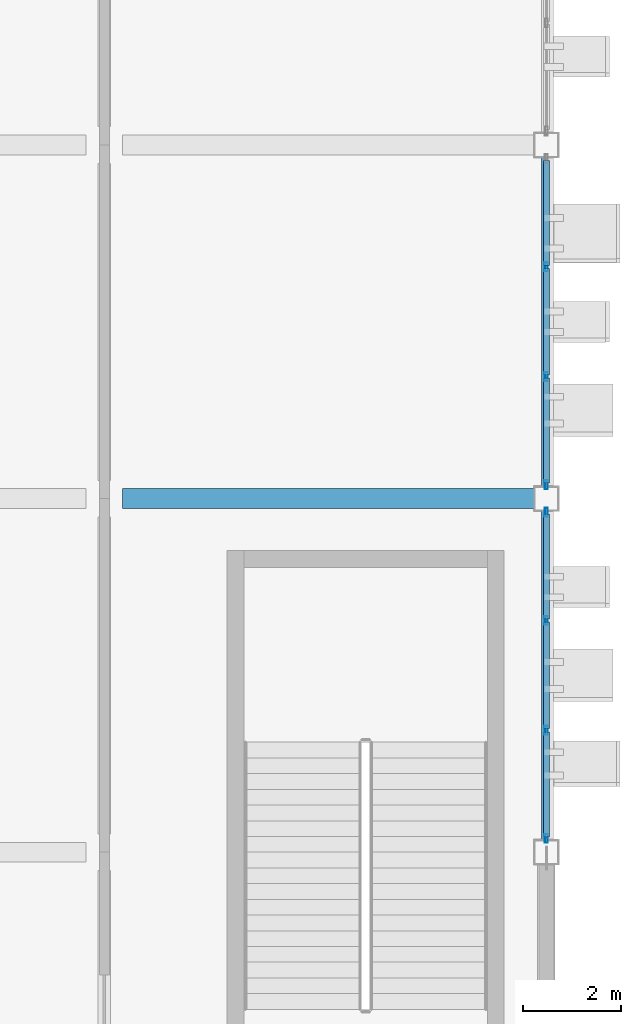
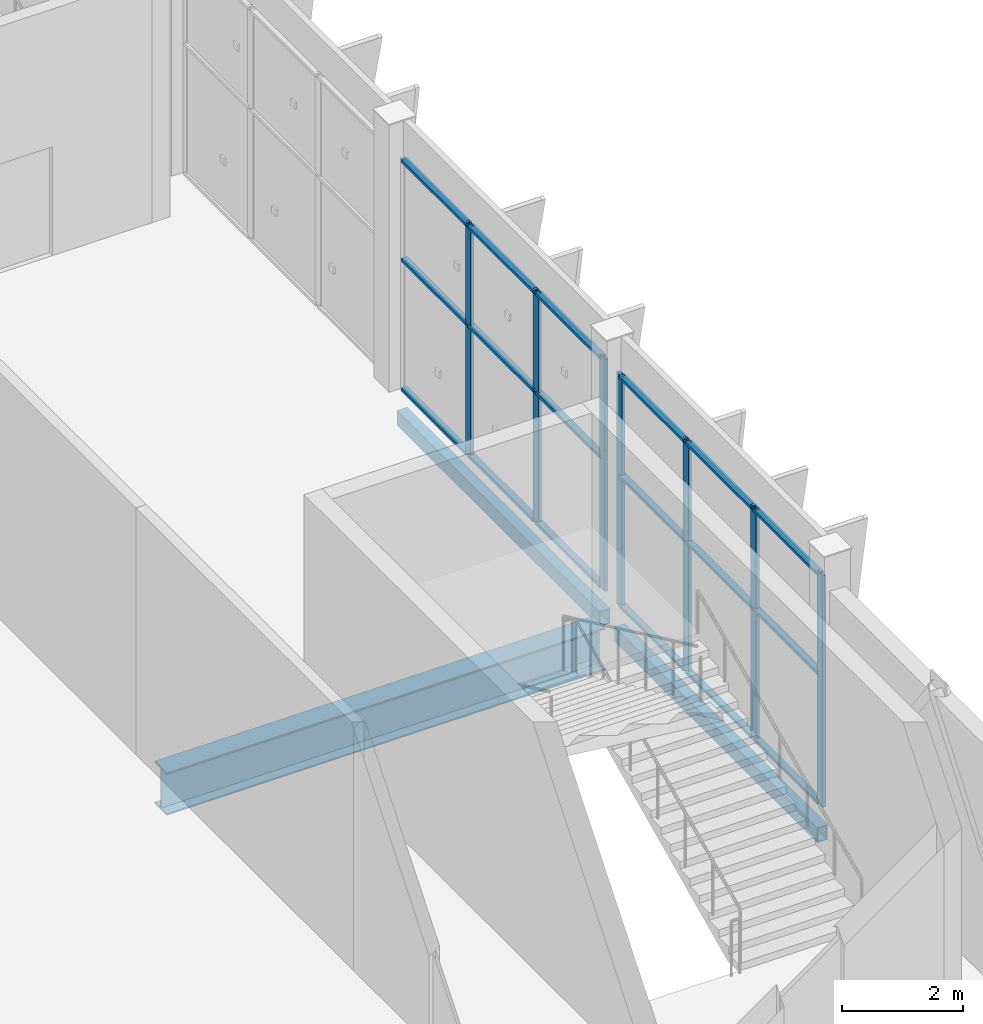
# One storey, part 107 of 189: 25 members, 3 beams, 2 elements without a shape of their own.
"""IFC4 building model written with IfcOpenShell, lengths in metres."""

from ifc_helpers import new_model, si_unit, direction, frame, origin, origin_2d, place, context, subcontext, project, spatial, hollow_rectangle, i_section, extrude, material, layer, layer_set, material_profile, profile_set, type_object, element, aggregate, save


model = new_model("IFC4")

# Units and contexts
model_context = context("Model", 3, precision=1e-05, world=origin(), true_north=direction((0.0, 1.0)))
body_context = subcontext(model_context, "Body", "Model", "MODEL_VIEW")
ifc_project = project(units=[si_unit("LENGTHUNIT", "METRE"), si_unit("AREAUNIT", "SQUARE_METRE"), si_unit("VOLUMEUNIT", "CUBIC_METRE"), si_unit("PLANEANGLEUNIT", "RADIAN"), si_unit("MASSUNIT", "GRAM", prefix="KILO")], contexts=[model_context])

# Site, building, storey
site_placement = place(None, origin())
site = spatial("IfcSite", under=ifc_project, at=site_placement, CompositionType="ELEMENT")
building_placement = place(site_placement, origin())
building = spatial("IfcBuilding", under=site, at=building_placement, Name="Celestram Park Convention Centre", CompositionType="ELEMENT")
storey_placement = place(building_placement, frame((0.0, 0.0, 5.39990234375)))
storey = spatial("IfcBuildingStorey", under=building, at=storey_placement, Name="L01", CompositionType="ELEMENT", Elevation=5.39990234375)

# Curtain wall, members
ifc_material_1 = material(Name="Anodised Aluminium Alloy 6063-T6", Category="aluminium")
ifc_layer = layer(ifc_material_1, 0.179931640625)
ifc_layer_set = layer_set([ifc_layer], Name="Anodised Aluminium Alloy 6063-T6")
curtain_wall_type = type_object("IfcCurtainWallType", Name="ARC-CW-670X468", PredefinedType="NOTDEFINED", material=ifc_layer_set)
curtain_wall_1_placement = place(storey_placement, origin())
curtain_wall_1 = element("IfcCurtainWall", 1, at=curtain_wall_1_placement, inside=storey, type_object=curtain_wall_type, Name="Unitised curtain wall CU-L01-078", PredefinedType="NOTDEFINED")
ifc_material_profile_1 = material_profile(ifc_material_1, hollow_rectangle(XDim=0.06494140625, YDim=0.179931640625, WallThickness=0.00390625, at=origin_2d()), Name="ALU65X180X4")
ifc_profile_set_1 = profile_set([ifc_material_profile_1], Name="Anodised Aluminium Alloy 6063-T6")
member_type_1 = type_object("IfcMemberType", Name="ARC-CWM-150", PredefinedType="MULLION", material=ifc_profile_set_1)
member_1_placement = place(storey_placement, frame((216.0, 141.517333984375, 0.0), z_axis=(0.0, 0.0, 1.0), x_axis=(1.0, 0.0, 0.0)))
member_1 = element("IfcMember", 2, at=member_1_placement, type_object=member_type_1, Name="CW-67X46 mullion 2", PredefinedType="MULLION", context=body_context, shape_type="SweptSolid", body=[
    extrude(hollow_rectangle(XDim=0.06494140625, YDim=0.179931640625, WallThickness=0.00390625, at=origin_2d()), origin(), (0.0, 0.0, 1.0), 4.68017578125),
])
member_2_placement = place(storey_placement, frame((216.0, 139.28271484375, 0.0), z_axis=(0.0, 0.0, 1.0), x_axis=(1.0, 0.0, 0.0)))
member_2 = element("IfcMember", 3, at=member_2_placement, type_object=member_type_1, Name="CW-67X46 mullion 3", PredefinedType="MULLION", context=body_context, shape_type="SweptSolid", body=[
    extrude(hollow_rectangle(XDim=0.06494140625, YDim=0.179931640625, WallThickness=0.00390625, at=origin_2d()), origin(), (0.0, 0.0, 1.0), 4.68017578125),
])
member_3_placement = place(storey_placement, frame((216.0, 137.08056640625, 0.0), z_axis=(0.0, 0.0, 1.0), x_axis=(1.0, 0.0, 0.0)))
member_3 = element("IfcMember", 4, at=member_3_placement, type_object=member_type_1, Name="CW-67X46 mullion 4", PredefinedType="MULLION", context=body_context, shape_type="SweptSolid", body=[
    extrude(hollow_rectangle(XDim=0.06494140625, YDim=0.179931640625, WallThickness=0.00390625, at=origin_2d()), origin(), (0.0, 0.0, 1.0), 4.68017578125),
])

curtain_wall_2_placement = place(storey_placement, origin())
curtain_wall_2 = element("IfcCurtainWall", 5, at=curtain_wall_2_placement, inside=storey, type_object=curtain_wall_type, Name="Unitised curtain wall CU-L01-079", PredefinedType="NOTDEFINED")
member_4_placement = place(storey_placement, frame((216.0, 136.51953125, 0.0), z_axis=(0.0, 0.0, 1.0), x_axis=(1.0, 0.0, 0.0)))
member_4 = element("IfcMember", 6, at=member_4_placement, type_object=member_type_1, Name="CW-67X46 mullion 1", PredefinedType="MULLION", context=body_context, shape_type="SweptSolid", body=[
    extrude(hollow_rectangle(XDim=0.06494140625, YDim=0.179931640625, WallThickness=0.00390625, at=origin_2d()), origin(), (0.0, 0.0, 1.0), 4.68017578125),
])
member_5_placement = place(storey_placement, frame((216.0, 134.3173828125, 0.0), z_axis=(0.0, 0.0, 1.0), x_axis=(1.0, 0.0, 0.0)))
member_5 = element("IfcMember", 7, at=member_5_placement, type_object=member_type_1, Name="CW-67X46 mullion 2", PredefinedType="MULLION", context=body_context, shape_type="SweptSolid", body=[
    extrude(hollow_rectangle(XDim=0.06494140625, YDim=0.179931640625, WallThickness=0.00390625, at=origin_2d()), origin(), (0.0, 0.0, 1.0), 4.68017578125),
])
member_6_placement = place(storey_placement, frame((216.0, 132.082763671875, 0.0), z_axis=(0.0, 0.0, 1.0), x_axis=(1.0, 0.0, 0.0)))
member_6 = element("IfcMember", 8, at=member_6_placement, type_object=member_type_1, Name="CW-67X46 mullion 3", PredefinedType="MULLION", context=body_context, shape_type="SweptSolid", body=[
    extrude(hollow_rectangle(XDim=0.06494140625, YDim=0.179931640625, WallThickness=0.00390625, at=origin_2d()), origin(), (0.0, 0.0, 1.0), 4.68017578125),
])
member_7_placement = place(storey_placement, frame((216.0, 129.880615234375, 0.0), z_axis=(0.0, 0.0, 1.0), x_axis=(1.0, 0.0, 0.0)))
member_7 = element("IfcMember", 9, at=member_7_placement, type_object=member_type_1, Name="CW-67X46 mullion 4", PredefinedType="MULLION", context=body_context, shape_type="SweptSolid", body=[
    extrude(hollow_rectangle(XDim=0.06494140625, YDim=0.179931640625, WallThickness=0.00390625, at=origin_2d()), origin(), (0.0, 0.0, 1.0), 4.68017578125),
])

# Member
ifc_material_profile_2 = material_profile(ifc_material_1, hollow_rectangle(XDim=0.1201171875, YDim=0.06005859375, WallThickness=0.0029296875, at=origin_2d()), Name="ALU120X60X3")
ifc_profile_set_2 = profile_set([ifc_material_profile_2], Name="Anodised Aluminium Alloy 6063-T6")
member_type_2 = type_object("IfcMemberType", Name="ARC-CWT-120", PredefinedType="USERDEFINED", material=ifc_profile_set_2)
member_8_placement = place(storey_placement, frame((216.0, 143.68701171875, 0.030029296875), z_axis=(0.0, -1.0, 0.0), x_axis=(1.0, 0.0, 0.0)))
member_8 = element("IfcMember", 10, at=member_8_placement, type_object=member_type_2, Name="CW-67X46 transom 1.1", ObjectType="TRANSOM", PredefinedType="USERDEFINED", context=body_context, shape_type="SweptSolid", body=[
    extrude(hollow_rectangle(XDim=0.1201171875, YDim=0.06005859375, WallThickness=0.0029296875, at=origin_2d()), origin(), (0.0, 0.0, 1.0), 2.13720703125),
])

member_9_placement = place(storey_placement, frame((216.0, 143.68701171875, 2.650146484375), z_axis=(0.0, -1.0, 0.0), x_axis=(1.0, 0.0, 0.0)))
member_9 = element("IfcMember", 11, at=member_9_placement, type_object=member_type_2, Name="CW-67X46 transom 1.2", ObjectType="TRANSOM", PredefinedType="USERDEFINED", context=body_context, shape_type="SweptSolid", body=[
    extrude(hollow_rectangle(XDim=0.1201171875, YDim=0.06005859375, WallThickness=0.0029296875, at=origin_2d()), origin(), (0.0, 0.0, 1.0), 2.13720703125),
])

member_10_placement = place(storey_placement, frame((216.0, 143.68701171875, 4.650146484375), z_axis=(0.0, -1.0, 0.0), x_axis=(1.0, 0.0, 0.0)))
member_10 = element("IfcMember", 12, at=member_10_placement, type_object=member_type_2, Name="CW-67X46 transom 1.3", ObjectType="TRANSOM", PredefinedType="USERDEFINED", context=body_context, shape_type="SweptSolid", body=[
    extrude(hollow_rectangle(XDim=0.1201171875, YDim=0.06005859375, WallThickness=0.0029296875, at=origin_2d()), origin(), (0.0, 0.0, 1.0), 2.13720703125),
])

member_11_placement = place(storey_placement, frame((216.0, 141.48486328125, 0.030029296875), z_axis=(0.0, -1.0, 0.0), x_axis=(1.0, 0.0, 0.0)))
member_11 = element("IfcMember", 13, at=member_11_placement, type_object=member_type_2, Name="CW-67X46 transom 2.1", ObjectType="TRANSOM", PredefinedType="USERDEFINED", context=body_context, shape_type="SweptSolid", body=[
    extrude(hollow_rectangle(XDim=0.1201171875, YDim=0.06005859375, WallThickness=0.0029296875, at=origin_2d()), origin(), (0.0, 0.0, 1.0), 2.169677734375),
])

member_12_placement = place(storey_placement, frame((216.0, 141.48486328125, 2.650146484375), z_axis=(0.0, -1.0, 0.0), x_axis=(1.0, 0.0, 0.0)))
member_12 = element("IfcMember", 14, at=member_12_placement, type_object=member_type_2, Name="CW-67X46 transom 2.2", ObjectType="TRANSOM", PredefinedType="USERDEFINED", context=body_context, shape_type="SweptSolid", body=[
    extrude(hollow_rectangle(XDim=0.1201171875, YDim=0.06005859375, WallThickness=0.0029296875, at=origin_2d()), origin(), (0.0, 0.0, 1.0), 2.169677734375),
])

member_13_placement = place(storey_placement, frame((216.0, 141.48486328125, 4.650146484375), z_axis=(0.0, -1.0, 0.0), x_axis=(1.0, 0.0, 0.0)))
member_13 = element("IfcMember", 15, at=member_13_placement, type_object=member_type_2, Name="CW-67X46 transom 2.3", ObjectType="TRANSOM", PredefinedType="USERDEFINED", context=body_context, shape_type="SweptSolid", body=[
    extrude(hollow_rectangle(XDim=0.1201171875, YDim=0.06005859375, WallThickness=0.0029296875, at=origin_2d()), origin(), (0.0, 0.0, 1.0), 2.169677734375),
])

member_14_placement = place(storey_placement, frame((216.0, 139.250244140625, 0.030029296875), z_axis=(0.0, -1.0, 0.0), x_axis=(1.0, 0.0, 0.0)))
member_14 = element("IfcMember", 16, at=member_14_placement, type_object=member_type_2, Name="CW-67X46 transom 3.1", ObjectType="TRANSOM", PredefinedType="USERDEFINED", context=body_context, shape_type="SweptSolid", body=[
    extrude(hollow_rectangle(XDim=0.1201171875, YDim=0.06005859375, WallThickness=0.0029296875, at=origin_2d()), origin(), (0.0, 0.0, 1.0), 2.13720703125),
])

member_15_placement = place(storey_placement, frame((216.0, 139.250244140625, 2.650146484375), z_axis=(0.0, -1.0, 0.0), x_axis=(1.0, 0.0, 0.0)))
member_15 = element("IfcMember", 17, at=member_15_placement, type_object=member_type_2, Name="CW-67X46 transom 3.2", ObjectType="TRANSOM", PredefinedType="USERDEFINED", context=body_context, shape_type="SweptSolid", body=[
    extrude(hollow_rectangle(XDim=0.1201171875, YDim=0.06005859375, WallThickness=0.0029296875, at=origin_2d()), origin(), (0.0, 0.0, 1.0), 2.13720703125),
])

member_16_placement = place(storey_placement, frame((216.0, 139.250244140625, 4.650146484375), z_axis=(0.0, -1.0, 0.0), x_axis=(1.0, 0.0, 0.0)))
member_16 = element("IfcMember", 18, at=member_16_placement, type_object=member_type_2, Name="CW-67X46 transom 3.3", ObjectType="TRANSOM", PredefinedType="USERDEFINED", context=body_context, shape_type="SweptSolid", body=[
    extrude(hollow_rectangle(XDim=0.1201171875, YDim=0.06005859375, WallThickness=0.0029296875, at=origin_2d()), origin(), (0.0, 0.0, 1.0), 2.13720703125),
])

aggregate(curtain_wall_1, [member_1, member_2, member_3, member_8, member_9, member_10, member_11, member_12, member_13, member_14, member_15, member_16])

member_17_placement = place(storey_placement, frame((216.0, 136.487060546875, 0.030029296875), z_axis=(0.0, -1.0, 0.0), x_axis=(1.0, 0.0, 0.0)))
member_17 = element("IfcMember", 19, at=member_17_placement, type_object=member_type_2, Name="CW-67X46 transom 1.1", ObjectType="TRANSOM", PredefinedType="USERDEFINED", context=body_context, shape_type="SweptSolid", body=[
    extrude(hollow_rectangle(XDim=0.1201171875, YDim=0.06005859375, WallThickness=0.0029296875, at=origin_2d()), origin(), (0.0, 0.0, 1.0), 2.13720703125),
])

member_18_placement = place(storey_placement, frame((216.0, 136.487060546875, 2.650146484375), z_axis=(0.0, -1.0, 0.0), x_axis=(1.0, 0.0, 0.0)))
member_18 = element("IfcMember", 20, at=member_18_placement, type_object=member_type_2, Name="CW-67X46 transom 1.2", ObjectType="TRANSOM", PredefinedType="USERDEFINED", context=body_context, shape_type="SweptSolid", body=[
    extrude(hollow_rectangle(XDim=0.1201171875, YDim=0.06005859375, WallThickness=0.0029296875, at=origin_2d()), origin(), (0.0, 0.0, 1.0), 2.13720703125),
])

member_19_placement = place(storey_placement, frame((216.0, 136.487060546875, 4.650146484375), z_axis=(0.0, -1.0, 0.0), x_axis=(1.0, 0.0, 0.0)))
member_19 = element("IfcMember", 21, at=member_19_placement, type_object=member_type_2, Name="CW-67X46 transom 1.3", ObjectType="TRANSOM", PredefinedType="USERDEFINED", context=body_context, shape_type="SweptSolid", body=[
    extrude(hollow_rectangle(XDim=0.1201171875, YDim=0.06005859375, WallThickness=0.0029296875, at=origin_2d()), origin(), (0.0, 0.0, 1.0), 2.13720703125),
])

member_20_placement = place(storey_placement, frame((216.0, 134.284912109375, 0.030029296875), z_axis=(0.0, -1.0, 0.0), x_axis=(1.0, 0.0, 0.0)))
member_20 = element("IfcMember", 22, at=member_20_placement, type_object=member_type_2, Name="CW-67X46 transom 2.1", ObjectType="TRANSOM", PredefinedType="USERDEFINED", context=body_context, shape_type="SweptSolid", body=[
    extrude(hollow_rectangle(XDim=0.1201171875, YDim=0.06005859375, WallThickness=0.0029296875, at=origin_2d()), origin(), (0.0, 0.0, 1.0), 2.169677734375),
])

member_21_placement = place(storey_placement, frame((216.0, 134.284912109375, 2.650146484375), z_axis=(0.0, -1.0, 0.0), x_axis=(1.0, 0.0, 0.0)))
member_21 = element("IfcMember", 23, at=member_21_placement, type_object=member_type_2, Name="CW-67X46 transom 2.2", ObjectType="TRANSOM", PredefinedType="USERDEFINED", context=body_context, shape_type="SweptSolid", body=[
    extrude(hollow_rectangle(XDim=0.1201171875, YDim=0.06005859375, WallThickness=0.0029296875, at=origin_2d()), origin(), (0.0, 0.0, 1.0), 2.169677734375),
])

member_22_placement = place(storey_placement, frame((216.0, 134.284912109375, 4.650146484375), z_axis=(0.0, -1.0, 0.0), x_axis=(1.0, 0.0, 0.0)))
member_22 = element("IfcMember", 24, at=member_22_placement, type_object=member_type_2, Name="CW-67X46 transom 2.3", ObjectType="TRANSOM", PredefinedType="USERDEFINED", context=body_context, shape_type="SweptSolid", body=[
    extrude(hollow_rectangle(XDim=0.1201171875, YDim=0.06005859375, WallThickness=0.0029296875, at=origin_2d()), origin(), (0.0, 0.0, 1.0), 2.169677734375),
])

member_23_placement = place(storey_placement, frame((216.0, 132.050048828125, 0.030029296875), z_axis=(0.0, -1.0, 0.0), x_axis=(1.0, 0.0, 0.0)))
member_23 = element("IfcMember", 25, at=member_23_placement, type_object=member_type_2, Name="CW-67X46 transom 3.1", ObjectType="TRANSOM", PredefinedType="USERDEFINED", context=body_context, shape_type="SweptSolid", body=[
    extrude(hollow_rectangle(XDim=0.1201171875, YDim=0.06005859375, WallThickness=0.0029296875, at=origin_2d()), origin(), (0.0, 0.0, 1.0), 2.136962890625),
])

member_24_placement = place(storey_placement, frame((216.0, 132.050048828125, 2.650146484375), z_axis=(0.0, -1.0, 0.0), x_axis=(1.0, 0.0, 0.0)))
member_24 = element("IfcMember", 26, at=member_24_placement, type_object=member_type_2, Name="CW-67X46 transom 3.2", ObjectType="TRANSOM", PredefinedType="USERDEFINED", context=body_context, shape_type="SweptSolid", body=[
    extrude(hollow_rectangle(XDim=0.1201171875, YDim=0.06005859375, WallThickness=0.0029296875, at=origin_2d()), origin(), (0.0, 0.0, 1.0), 2.136962890625),
])

member_25_placement = place(storey_placement, frame((216.0, 132.050048828125, 4.650146484375), z_axis=(0.0, -1.0, 0.0), x_axis=(1.0, 0.0, 0.0)))
member_25 = element("IfcMember", 27, at=member_25_placement, type_object=member_type_2, Name="CW-67X46 transom 3.3", ObjectType="TRANSOM", PredefinedType="USERDEFINED", context=body_context, shape_type="SweptSolid", body=[
    extrude(hollow_rectangle(XDim=0.1201171875, YDim=0.06005859375, WallThickness=0.0029296875, at=origin_2d()), origin(), (0.0, 0.0, 1.0), 2.136962890625),
])

aggregate(curtain_wall_2, [member_4, member_5, member_6, member_7, member_17, member_18, member_19, member_20, member_21, member_22, member_23, member_24, member_25])

# Beams
ifc_material_2 = material(Name="Steel ASTM A992 Grade 50", Category="steel")
ifc_material_profile_3 = material_profile(ifc_material_2, i_section(OverallWidth=0.40087890625, OverallDepth=0.85595703125, WebThickness=0.018310546875, FlangeThickness=0.029296875, at=origin_2d()), Name="W33X201")
ifc_profile_set_3 = profile_set([ifc_material_profile_3], Name="Steel ASTM A992 Grade 50")
beam_type_1 = type_object("IfcBeamType", Name="STR-BM-W33X201", PredefinedType="BEAM", material=ifc_profile_set_3)
beam_1_placement = place(storey_placement, frame((207.373046875, 136.800048828125, -0.847900390625), z_axis=(1.0, 0.0, 0.0), x_axis=(0.0, 1.0, 0.0)))
element("IfcBeam", 28, at=beam_1_placement, inside=storey, type_object=beam_type_1, Name="Primary X-girder BG-L01-0526", PredefinedType="BEAM", context=body_context, shape_type="SweptSolid", body=[
    extrude(i_section(OverallWidth=0.40087890625, OverallDepth=0.85595703125, WebThickness=0.018310546875, FlangeThickness=0.029296875, at=origin_2d()), origin(), (0.0, 0.0, 1.0), 8.37890625),
])
ifc_material_3 = material(Name="Steel ASTM A500 Grade C", Category="steel")
ifc_material_profile_4 = material_profile(ifc_material_3, hollow_rectangle(XDim=0.199951171875, YDim=0.300048828125, WallThickness=0.011962890625, at=origin_2d()), Name="HSS300X200X12")
ifc_profile_set_4 = profile_set([ifc_material_profile_4], Name="Steel ASTM A500 Grade C")
beam_type_2 = type_object("IfcBeamType", Name="STR-SPN-HSS300X200", PredefinedType="SPANDREL", material=ifc_profile_set_4)
beam_2_placement = place(storey_placement, frame((216.0, 129.847900390625, -0.56982421875), z_axis=(0.0, 1.0, 0.0), x_axis=(-1.0, 0.0, 0.0)))
element("IfcBeam", 29, at=beam_2_placement, inside=storey, type_object=beam_type_2, Name="Primary Y-girder BG-L01-0540", PredefinedType="SPANDREL", context=body_context, shape_type="SweptSolid", body=[
    extrude(hollow_rectangle(XDim=0.199951171875, YDim=0.300048828125, WallThickness=0.011962890625, at=origin_2d()), origin(), (0.0, 0.0, 1.0), 6.7041015625),
])
beam_3_placement = place(storey_placement, frame((216.0, 137.048095703125, -0.56982421875), z_axis=(0.0, 1.0, 0.0), x_axis=(-1.0, 0.0, 0.0)))
element("IfcBeam", 30, at=beam_3_placement, inside=storey, type_object=beam_type_2, Name="Primary Y-girder BG-L01-0541", PredefinedType="SPANDREL", context=body_context, shape_type="SweptSolid", body=[
    extrude(hollow_rectangle(XDim=0.199951171875, YDim=0.300048828125, WallThickness=0.011962890625, at=origin_2d()), origin(), (0.0, 0.0, 1.0), 6.703857421875),
])

save(model, "model.ifc")
